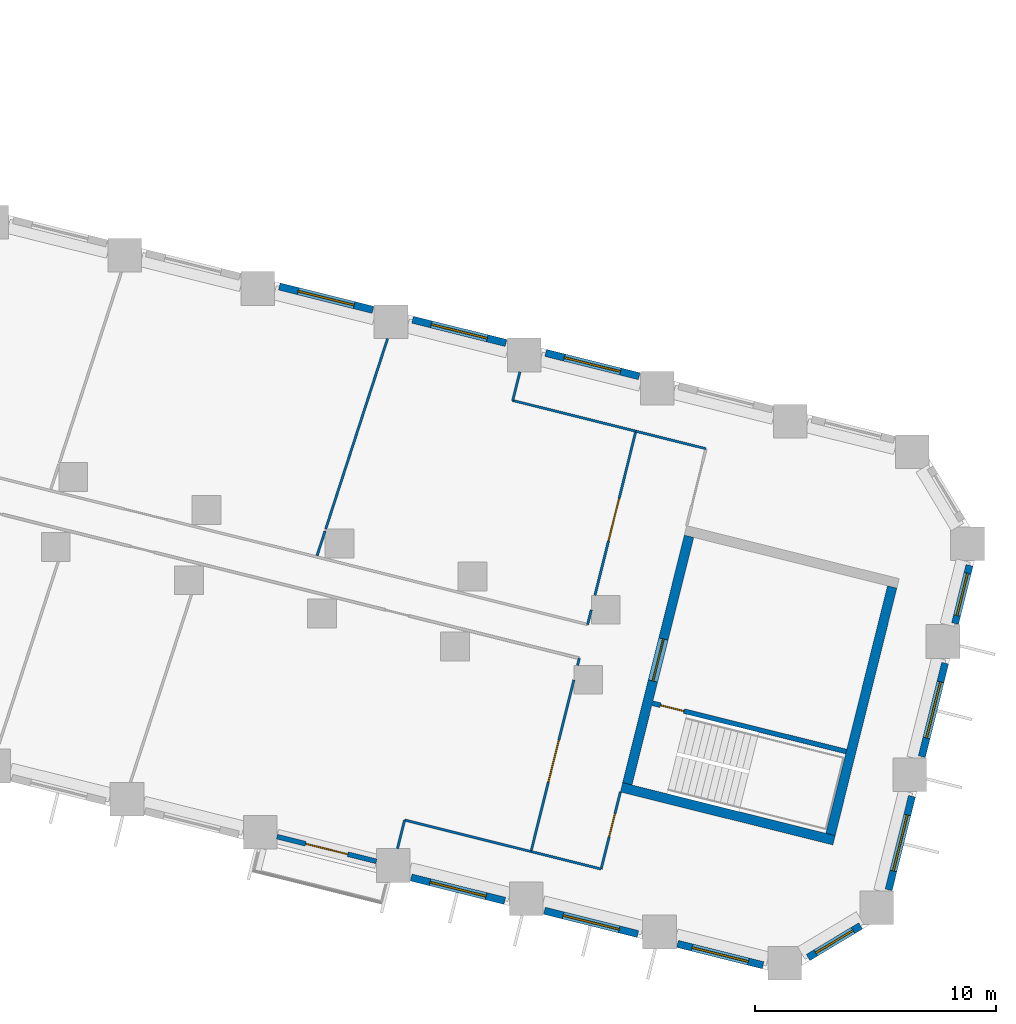
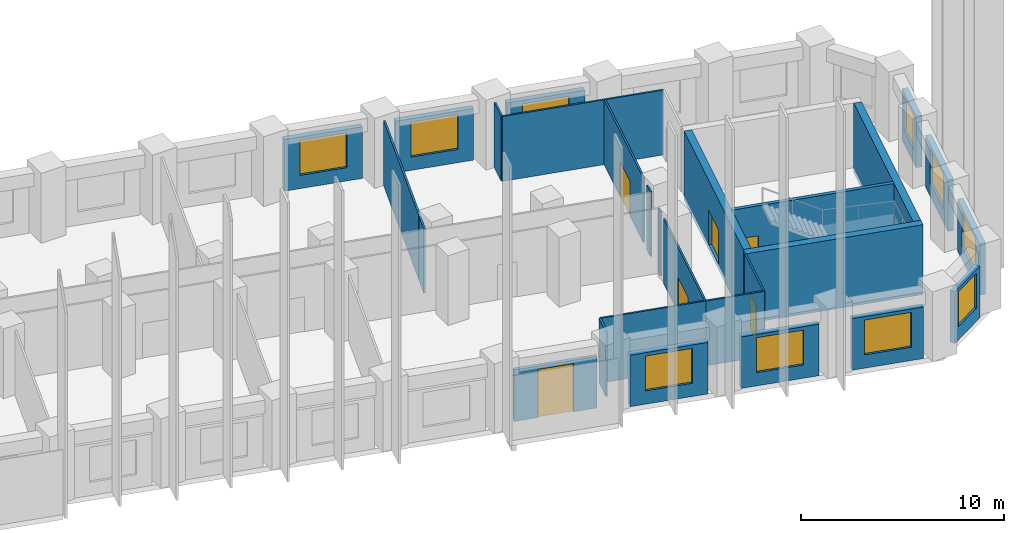
# One storey, part 7 of 12: 28 walls, 10 windows, 6 doors, 16 openings.
"""IFC4 building model written with IfcOpenShell, lengths in metres."""

from ifc_helpers import new_model, si_unit, direction, frame, frame_2d, origin, place, context, subcontext, project, spatial, rectangle, extrude, material, layer, layer_set, type_object, element, fill, save


model = new_model("IFC4")

# Units and contexts
model_context = context("Model", 3, precision=1e-05, world=origin(), true_north=direction((0.0, 1.0)))
body_context = subcontext(model_context, "Body", "Model", "MODEL_VIEW")
ifc_project = project(units=[si_unit("LENGTHUNIT", "METRE"), si_unit("AREAUNIT", "SQUARE_METRE"), si_unit("VOLUMEUNIT", "CUBIC_METRE"), si_unit("PLANEANGLEUNIT", "RADIAN"), si_unit("MASSUNIT", "GRAM", prefix="KILO")], contexts=[model_context])

# Site, building, storey
site_placement = place(None, origin())
site = spatial("IfcSite", under=ifc_project, at=site_placement, CompositionType="ELEMENT")
building_placement = place(site_placement, origin())
building = spatial("IfcBuilding", under=site, at=building_placement, Name="Meshkara Civic Tower", CompositionType="ELEMENT")
storey_placement = place(building_placement, frame((0.0, 0.0, 66.60009765625)))
storey = spatial("IfcBuildingStorey", under=building, at=storey_placement, Name="L14", CompositionType="ELEMENT", Elevation=66.60009765625)

# Wall
ifc_material_1 = material(Name="Corridor wall 100")
ifc_layer_1 = layer(ifc_material_1, 0.10009765625)
ifc_layer_set_1 = layer_set([ifc_layer_1], Name="Corridor wall 100")
wall_type_1 = type_object("IfcWallType", Name="Corridor wall 100", PredefinedType="PARTITIONING", material=ifc_layer_set_1)
wall_1_placement = place(storey_placement, frame((72.35302734375, -15.56591796875, 0.0), z_axis=(0.0, 0.0, 1.0), x_axis=(0.970271610033, -0.242018600037, 0.0)))
element("IfcWall", 1, at=wall_1_placement, inside=storey, type_object=wall_type_1, Name="L14-W024", PredefinedType="PARTITIONING", context=body_context, shape_type="SweptSolid", body=[
    extrude(rectangle(XDim=3.0, YDim=0.10009765625, at=frame_2d((1.5, 0.0))), origin(), (0.0, 0.0, 1.0), 3.89990234375),
])

# Wall, opening, door
wall_2_placement = place(storey_placement, frame((74.131103515625, -8.43701171875, 0.0), z_axis=(0.0, 0.0, 1.0), x_axis=(-0.242003930935, -0.970275268886, 0.0)))
wall_2 = element("IfcWall", 2, at=wall_2_placement, inside=storey, type_object=wall_type_1, Name="L14-W025", PredefinedType="PARTITIONING", context=body_context, shape_type="SweptSolid", body=[
    extrude(rectangle(XDim=7.347412109375, YDim=0.10009765625, at=frame_2d((3.673828125, 0.0))), origin(), (0.0, 0.0, 1.0), 3.89990234375),
])
opening_1_placement = place(wall_2_placement, frame((2.580078125, 0.0, 0.0)))
opening_1 = element("IfcOpeningElement", 3, at=opening_1_placement, cuts=wall_2, Name="Opening L14-D002", PredefinedType="OPENING", context=body_context, shape_type="SweptSolid", body=[
    extrude(rectangle(XDim=1.800048828125, YDim=2.10009765625, at=frame_2d((0.89990234375, 1.050048828125))), frame((0.0, 0.06005859375, 0.0), z_axis=(0.0, -1.0, 0.0), x_axis=(1.0, 0.0, 0.0)), (0.0, 0.0, 1.0), 0.1201171875),
])
ifc_material_2 = material(Name="Door pair 1800 x 2100")
door_type_1 = type_object("IfcDoorType", Name="Door pair 1800 x 2100", OperationType="SINGLE_SWING_LEFT", PredefinedType="DOOR", material=ifc_material_2)
door_1_placement = place(opening_1_placement, origin())
door_1 = element("IfcDoor", 4, at=door_1_placement, inside=storey, type_object=door_type_1, Name="L14-D002", OperationType="DOUBLE_DOOR_SINGLE_SWING", OverallHeight=2.10009765625, OverallWidth=1.800048828125, PredefinedType="DOOR", context=body_context, shape_type="SweptSolid", body=[
    extrude(rectangle(XDim=1.800048828125, YDim=2.10009765625, at=frame_2d((0.89990234375, 1.050048828125))), frame((0.0, 0.02490234375, 0.0), z_axis=(0.0, -1.0, 0.0), x_axis=(1.0, 0.0, 0.0)), (0.0, 0.0, 1.0), 0.050048828125),
])
fill(opening_1, door_1)

# Walls
wall_3_placement = place(storey_placement, frame((74.35595703125, -7.534912109375, 0.0), z_axis=(0.0, 0.0, 1.0), x_axis=(-0.24082959107, -0.970567415518, 0.0)))
element("IfcWall", 5, at=wall_3_placement, inside=storey, type_object=wall_type_1, Name="L14-W026", PredefinedType="PARTITIONING", context=body_context, shape_type="SweptSolid", body=[
    extrude(rectangle(XDim=0.30322265625, YDim=0.10009765625, at=frame_2d((0.151611328125, 0.0))), origin(), (0.0, 0.0, 1.0), 3.89990234375),
])
wall_4_placement = place(storey_placement, frame((74.85595703125, -5.527099609375, 0.0), z_axis=(0.0, 0.0, 1.0), x_axis=(-0.241982798004, -0.970280539571, 0.0)))
element("IfcWall", 6, at=wall_4_placement, inside=storey, type_object=wall_type_1, Name="L14-W027", PredefinedType="PARTITIONING", context=body_context, shape_type="SweptSolid", body=[
    extrude(rectangle(XDim=0.62353515625, YDim=0.10009765625, at=frame_2d((0.311767578125, 0.0))), origin(), (0.0, 0.0, 1.0), 3.89990234375),
])

# Wall, opening, door
wall_5_placement = place(storey_placement, frame((75.263916015625, -16.2919921875, 0.0), z_axis=(0.0, 0.0, 1.0), x_axis=(0.242135244173, 0.970242507587, 0.0)))
wall_5 = element("IfcWall", 7, at=wall_5_placement, inside=storey, type_object=wall_type_1, Name="L14-W028", PredefinedType="PARTITIONING", context=body_context, shape_type="SweptSolid", body=[
    extrude(rectangle(XDim=3.300048828125, YDim=0.10009765625, at=frame_2d((1.64990234375, 0.0))), origin(), (0.0, 0.0, 1.0), 3.89990234375),
])
opening_2_placement = place(wall_5_placement, frame((1.3798828125, 0.0, 0.0)))
opening_2 = element("IfcOpeningElement", 8, at=opening_2_placement, cuts=wall_5, Name="Opening L14-D001", PredefinedType="OPENING", context=body_context, shape_type="SweptSolid", body=[
    extrude(rectangle(XDim=1.0, YDim=2.10009765625, at=frame_2d((0.5, 1.050048828125))), frame((0.0, 0.06005859375, 0.0), z_axis=(0.0, -1.0, 0.0), x_axis=(1.0, 0.0, 0.0)), (0.0, 0.0, 1.0), 0.1201171875),
])
ifc_material_3 = material(Name="Door 1000 x 2100")
door_type_2 = type_object("IfcDoorType", Name="Door 1000 x 2100", OperationType="SINGLE_SWING_LEFT", PredefinedType="DOOR", material=ifc_material_3)
door_2_placement = place(opening_2_placement, origin())
door_2 = element("IfcDoor", 9, at=door_2_placement, inside=storey, type_object=door_type_2, Name="L14-D001", OperationType="SINGLE_SWING_LEFT", OverallHeight=2.10009765625, OverallWidth=1.0, PredefinedType="DOOR", context=body_context, shape_type="SweptSolid", body=[
    extrude(rectangle(XDim=1.0, YDim=2.10009765625, at=frame_2d((0.5, 1.050048828125))), frame((0.0, 0.02490234375, 0.0), z_axis=(0.0, -1.0, 0.0), x_axis=(1.0, 0.0, 0.0)), (0.0, 0.0, 1.0), 0.050048828125),
])
fill(opening_2, door_2)

wall_6_placement = place(storey_placement, frame((76.7080078125, 1.89892578125, 0.0), z_axis=(0.0, 0.0, 1.0), x_axis=(-0.241963232294, -0.970285418945, 0.0)))
wall_6 = element("IfcWall", 10, at=wall_6_placement, inside=storey, type_object=wall_type_1, Name="L14-W029", PredefinedType="PARTITIONING", context=body_context, shape_type="SweptSolid", body=[
    extrude(rectangle(XDim=7.025634765625, YDim=0.10009765625, at=frame_2d((3.5126953125, 0.0))), origin(), (0.0, 0.0, 1.0), 3.89990234375),
])
opening_3_placement = place(wall_6_placement, frame((2.8798828125, 0.0, 0.0)))
opening_3 = element("IfcOpeningElement", 11, at=opening_3_placement, cuts=wall_6, Name="Opening L14-D007", PredefinedType="OPENING", context=body_context, shape_type="SweptSolid", body=[
    extrude(rectangle(XDim=1.800048828125, YDim=2.10009765625, at=frame_2d((0.89990234375, 1.050048828125))), frame((0.0, 0.06005859375, 0.0), z_axis=(0.0, -1.0, 0.0), x_axis=(1.0, 0.0, 0.0)), (0.0, 0.0, 1.0), 0.1201171875),
])
door_3_placement = place(opening_3_placement, origin())
door_3 = element("IfcDoor", 12, at=door_3_placement, inside=storey, type_object=door_type_1, Name="L14-D007", OperationType="DOUBLE_DOOR_SINGLE_SWING", OverallHeight=2.10009765625, OverallWidth=1.800048828125, PredefinedType="DOOR", context=body_context, shape_type="SweptSolid", body=[
    extrude(rectangle(XDim=1.800048828125, YDim=2.10009765625, at=frame_2d((0.89990234375, 1.050048828125))), frame((0.0, 0.02490234375, 0.0), z_axis=(0.0, -1.0, 0.0), x_axis=(1.0, 0.0, 0.0)), (0.0, 0.0, 1.0), 0.050048828125),
])
fill(opening_3, door_3)

# Wall
wall_7_placement = place(storey_placement, frame((79.618896484375, 1.173095703125, 0.0), z_axis=(0.0, 0.0, 1.0), x_axis=(-0.970290716908, 0.241941986192, 0.0)))
element("IfcWall", 13, at=wall_7_placement, inside=storey, type_object=wall_type_1, Name="L14-W031", PredefinedType="PARTITIONING", context=body_context, shape_type="SweptSolid", body=[
    extrude(rectangle(XDim=3.0, YDim=0.10009765625, at=frame_2d((1.5, 0.0))), origin(), (0.0, 0.0, 1.0), 3.89990234375),
])

# Wall, opening, window
ifc_material_4 = material(Name="Insulated infill panel with bronze anodised aluminium cladding", Category="aluminium")
ifc_layer_2 = layer(ifc_material_4, 0.300048828125)
ifc_layer_set_2 = layer_set([ifc_layer_2], Name="EXTERNAL INFILL WALL 300")
wall_type_2 = type_object("IfcWallType", Name="EXTERNAL INFILL WALL 300", PredefinedType="SOLIDWALL", material=ifc_layer_set_2)
wall_8_placement = place(storey_placement, frame((76.843994140625, 4.18408203125, 0.0), z_axis=(0.0, 0.0, 1.0), x_axis=(-0.970303772127, 0.241889623168, 0.0)))
wall_8 = element("IfcWall", 14, at=wall_8_placement, inside=storey, type_object=wall_type_2, Name="External wall", PredefinedType="SOLIDWALL", context=body_context, shape_type="SweptSolid", body=[
    extrude(rectangle(XDim=4.001953125, YDim=0.300048828125, at=frame_2d((2.0009765625, 0.0))), origin(), (0.0, 0.0, 1.0), 3.099853515625),
])
opening_4_placement = place(wall_8_placement, frame((0.801025390625, 0.0, 0.800048828125)))
opening_4 = element("IfcOpeningElement", 15, at=opening_4_placement, cuts=wall_8, Name="Opening W7", PredefinedType="OPENING", context=body_context, shape_type="SweptSolid", body=[
    extrude(rectangle(XDim=2.39990234375, YDim=2.10009765625, at=frame_2d((1.199951171875, 1.050048828125))), frame((0.0, 0.159912109375, 0.0), z_axis=(0.0, -1.0, 0.0), x_axis=(1.0, 0.0, 0.0)), (0.0, 0.0, 1.0), 0.320068359375),
])
ifc_material_5 = material(Name="Tinted double glazing", Category="glass")
window_type_1 = type_object("IfcWindowType", Name="WINDOW 2400x2100", PartitioningType="DOUBLE_PANEL_VERTICAL", PredefinedType="WINDOW", material=ifc_material_5)
window_1_placement = place(opening_4_placement, origin())
window_1 = element("IfcWindow", 16, at=window_1_placement, inside=storey, type_object=window_type_1, Name="Window", OverallHeight=2.10009765625, OverallWidth=2.39990234375, PartitioningType="DOUBLE_PANEL_VERTICAL", PredefinedType="WINDOW", context=body_context, shape_type="SweptSolid", body=[
    extrude(rectangle(XDim=2.39990234375, YDim=2.10009765625, at=frame_2d((1.199951171875, 1.050048828125))), frame((0.0, 0.030029296875, 0.0), z_axis=(0.0, -1.0, 0.0), x_axis=(1.0, 0.0, 0.0)), (0.0, 0.0, 1.0), 0.06005859375),
])
fill(opening_4, window_1)

wall_9_placement = place(storey_placement, frame((71.31396484375, 5.56298828125, 0.0), z_axis=(0.0, 0.0, 1.0), x_axis=(-0.970318045095, 0.24183236211, 0.0)))
wall_9 = element("IfcWall", 17, at=wall_9_placement, inside=storey, type_object=wall_type_2, Name="External wall", PredefinedType="SOLIDWALL", context=body_context, shape_type="SweptSolid", body=[
    extrude(rectangle(XDim=4.0029296875, YDim=0.300048828125, at=frame_2d((2.00146484375, 0.0))), origin(), (0.0, 0.0, 1.0), 3.099853515625),
])
opening_5_placement = place(wall_9_placement, frame((0.802001953125, 0.0, 0.800048828125)))
opening_5 = element("IfcOpeningElement", 18, at=opening_5_placement, cuts=wall_9, Name="Opening W7", PredefinedType="OPENING", context=body_context, shape_type="SweptSolid", body=[
    extrude(rectangle(XDim=2.39990234375, YDim=2.10009765625, at=frame_2d((1.199951171875, 1.050048828125))), frame((0.0, 0.159912109375, 0.0), z_axis=(0.0, -1.0, 0.0), x_axis=(1.0, 0.0, 0.0)), (0.0, 0.0, 1.0), 0.320068359375),
])
window_2_placement = place(opening_5_placement, origin())
window_2 = element("IfcWindow", 19, at=window_2_placement, inside=storey, type_object=window_type_1, Name="Window", OverallHeight=2.10009765625, OverallWidth=2.39990234375, PartitioningType="DOUBLE_PANEL_VERTICAL", PredefinedType="WINDOW", context=body_context, shape_type="SweptSolid", body=[
    extrude(rectangle(XDim=2.39990234375, YDim=2.10009765625, at=frame_2d((1.199951171875, 1.050048828125))), frame((0.0, 0.030029296875, 0.0), z_axis=(0.0, -1.0, 0.0), x_axis=(1.0, 0.0, 0.0)), (0.0, 0.0, 1.0), 0.06005859375),
])
fill(opening_5, window_2)

wall_10_placement = place(storey_placement, frame((65.782958984375, 6.94189453125, 0.0), z_axis=(0.0, 0.0, 1.0), x_axis=(-0.970318045095, 0.24183236211, 0.0)))
wall_10 = element("IfcWall", 20, at=wall_10_placement, inside=storey, type_object=wall_type_2, Name="External wall", PredefinedType="SOLIDWALL", context=body_context, shape_type="SweptSolid", body=[
    extrude(rectangle(XDim=4.0029296875, YDim=0.300048828125, at=frame_2d((2.00146484375, 0.0))), origin(), (0.0, 0.0, 1.0), 3.099853515625),
])
opening_6_placement = place(wall_10_placement, frame((0.802001953125, 0.0, 0.800048828125)))
opening_6 = element("IfcOpeningElement", 21, at=opening_6_placement, cuts=wall_10, Name="Opening W7", PredefinedType="OPENING", context=body_context, shape_type="SweptSolid", body=[
    extrude(rectangle(XDim=2.39990234375, YDim=2.10009765625, at=frame_2d((1.199951171875, 1.050048828125))), frame((0.0, 0.159912109375, 0.0), z_axis=(0.0, -1.0, 0.0), x_axis=(1.0, 0.0, 0.0)), (0.0, 0.0, 1.0), 0.320068359375),
])
window_3_placement = place(opening_6_placement, origin())
window_3 = element("IfcWindow", 22, at=window_3_placement, inside=storey, type_object=window_type_1, Name="Window", OverallHeight=2.10009765625, OverallWidth=2.39990234375, PartitioningType="DOUBLE_PANEL_VERTICAL", PredefinedType="WINDOW", context=body_context, shape_type="SweptSolid", body=[
    extrude(rectangle(XDim=2.39990234375, YDim=2.10009765625, at=frame_2d((1.199951171875, 1.050048828125))), frame((0.0, 0.030029296875, 0.0), z_axis=(0.0, -1.0, 0.0), x_axis=(1.0, 0.0, 0.0)), (0.0, 0.0, 1.0), 0.06005859375),
])
fill(opening_6, window_3)

wall_11_placement = place(storey_placement, frame((67.3779296875, -16.64404296875, 0.0), z_axis=(0.0, 0.0, 1.0), x_axis=(0.970260773365, -0.242062040951, 0.0)))
wall_11 = element("IfcWall", 23, at=wall_11_placement, inside=storey, type_object=wall_type_2, Name="External wall", PredefinedType="SOLIDWALL", context=body_context, shape_type="SweptSolid", body=[
    extrude(rectangle(XDim=4.003173828125, YDim=0.300048828125, at=frame_2d((2.00146484375, 0.0))), origin(), (0.0, 0.0, 1.0), 3.099853515625),
])
opening_7_placement = place(wall_11_placement, frame((0.802001953125, 0.0, 0.800048828125)))
opening_7 = element("IfcOpeningElement", 24, at=opening_7_placement, cuts=wall_11, Name="Opening W7", PredefinedType="OPENING", context=body_context, shape_type="SweptSolid", body=[
    extrude(rectangle(XDim=2.39990234375, YDim=2.10009765625, at=frame_2d((1.199951171875, 1.050048828125))), frame((0.0, 0.159912109375, 0.0), z_axis=(0.0, -1.0, 0.0), x_axis=(1.0, 0.0, 0.0)), (0.0, 0.0, 1.0), 0.320068359375),
])
window_4_placement = place(opening_7_placement, origin())
window_4 = element("IfcWindow", 25, at=window_4_placement, inside=storey, type_object=window_type_1, Name="Window", OverallHeight=2.10009765625, OverallWidth=2.39990234375, PartitioningType="DOUBLE_PANEL_VERTICAL", PredefinedType="WINDOW", context=body_context, shape_type="SweptSolid", body=[
    extrude(rectangle(XDim=2.39990234375, YDim=2.10009765625, at=frame_2d((1.199951171875, 1.050048828125))), frame((0.0, 0.030029296875, 0.0), z_axis=(0.0, -1.0, 0.0), x_axis=(1.0, 0.0, 0.0)), (0.0, 0.0, 1.0), 0.06005859375),
])
fill(opening_7, window_4)

wall_12_placement = place(storey_placement, frame((72.908935546875, -18.02294921875, 0.0), z_axis=(0.0, 0.0, 1.0), x_axis=(0.970260773365, -0.242062040951, 0.0)))
wall_12 = element("IfcWall", 26, at=wall_12_placement, inside=storey, type_object=wall_type_2, Name="External wall", PredefinedType="SOLIDWALL", context=body_context, shape_type="SweptSolid", body=[
    extrude(rectangle(XDim=4.003173828125, YDim=0.300048828125, at=frame_2d((2.00146484375, 0.0))), origin(), (0.0, 0.0, 1.0), 3.099853515625),
])
opening_8_placement = place(wall_12_placement, frame((0.802001953125, 0.0, 0.800048828125)))
opening_8 = element("IfcOpeningElement", 27, at=opening_8_placement, cuts=wall_12, Name="Opening W7", PredefinedType="OPENING", context=body_context, shape_type="SweptSolid", body=[
    extrude(rectangle(XDim=2.39990234375, YDim=2.10009765625, at=frame_2d((1.199951171875, 1.050048828125))), frame((0.0, 0.159912109375, 0.0), z_axis=(0.0, -1.0, 0.0), x_axis=(1.0, 0.0, 0.0)), (0.0, 0.0, 1.0), 0.320068359375),
])
window_5_placement = place(opening_8_placement, origin())
window_5 = element("IfcWindow", 28, at=window_5_placement, inside=storey, type_object=window_type_1, Name="Window", OverallHeight=2.10009765625, OverallWidth=2.39990234375, PartitioningType="DOUBLE_PANEL_VERTICAL", PredefinedType="WINDOW", context=body_context, shape_type="SweptSolid", body=[
    extrude(rectangle(XDim=2.39990234375, YDim=2.10009765625, at=frame_2d((1.199951171875, 1.050048828125))), frame((0.0, 0.030029296875, 0.0), z_axis=(0.0, -1.0, 0.0), x_axis=(1.0, 0.0, 0.0)), (0.0, 0.0, 1.0), 0.06005859375),
])
fill(opening_8, window_5)

wall_13_placement = place(storey_placement, frame((78.43994140625, -19.402099609375, 0.0), z_axis=(0.0, 0.0, 1.0), x_axis=(0.970271818873, -0.24201776278, 0.0)))
wall_13 = element("IfcWall", 29, at=wall_13_placement, inside=storey, type_object=wall_type_2, Name="External wall", PredefinedType="SOLIDWALL", context=body_context, shape_type="SweptSolid", body=[
    extrude(rectangle(XDim=3.660888671875, YDim=0.300048828125, at=frame_2d((1.83056640625, 0.0))), origin(), (0.0, 0.0, 1.0), 3.099853515625),
])
opening_9_placement = place(wall_13_placement, frame((0.6298828125, 0.0, 0.800048828125)))
opening_9 = element("IfcOpeningElement", 30, at=opening_9_placement, cuts=wall_13, Name="Opening W7", PredefinedType="OPENING", context=body_context, shape_type="SweptSolid", body=[
    extrude(rectangle(XDim=2.39990234375, YDim=2.10009765625, at=frame_2d((1.199951171875, 1.050048828125))), frame((0.0, 0.159912109375, 0.0), z_axis=(0.0, -1.0, 0.0), x_axis=(1.0, 0.0, 0.0)), (0.0, 0.0, 1.0), 0.320068359375),
])
window_6_placement = place(opening_9_placement, origin())
window_6 = element("IfcWindow", 31, at=window_6_placement, inside=storey, type_object=window_type_1, Name="Window", OverallHeight=2.10009765625, OverallWidth=2.39990234375, PartitioningType="DOUBLE_PANEL_VERTICAL", PredefinedType="WINDOW", context=body_context, shape_type="SweptSolid", body=[
    extrude(rectangle(XDim=2.39990234375, YDim=2.10009765625, at=frame_2d((1.199951171875, 1.050048828125))), frame((0.0, 0.030029296875, 0.0), z_axis=(0.0, -1.0, 0.0), x_axis=(1.0, 0.0, 0.0)), (0.0, 0.0, 1.0), 0.06005859375),
])
fill(opening_9, window_6)

wall_14_placement = place(storey_placement, frame((83.865966796875, -19.965087890625, 0.0), z_axis=(0.0, 0.0, 1.0), x_axis=(0.857026568426, 0.515272220299, 0.0)))
wall_14 = element("IfcWall", 32, at=wall_14_placement, inside=storey, type_object=wall_type_2, Name="External wall", PredefinedType="SOLIDWALL", context=body_context, shape_type="SweptSolid", body=[
    extrude(rectangle(XDim=2.54248046875, YDim=0.300048828125, at=frame_2d((1.271240234375, 0.0))), origin(), (0.0, 0.0, 1.0), 3.099853515625),
])
opening_10_placement = place(wall_14_placement, frame((0.37109375, 0.0, 0.800048828125)))
opening_10 = element("IfcOpeningElement", 33, at=opening_10_placement, cuts=wall_14, Name="Opening W9", PredefinedType="OPENING", context=body_context, shape_type="SweptSolid", body=[
    extrude(rectangle(XDim=1.800048828125, YDim=2.10009765625, at=frame_2d((0.89990234375, 1.050048828125))), frame((0.0, 0.159912109375, 0.0), z_axis=(0.0, -1.0, 0.0), x_axis=(1.0, 0.0, 0.0)), (0.0, 0.0, 1.0), 0.320068359375),
])
ifc_material_6 = material(Name="Tinted double glazing", Category="glass")
window_type_2 = type_object("IfcWindowType", Name="WINDOW 1800x2100", PartitioningType="DOUBLE_PANEL_VERTICAL", PredefinedType="WINDOW", material=ifc_material_6)
window_7_placement = place(opening_10_placement, origin())
window_7 = element("IfcWindow", 34, at=window_7_placement, inside=storey, type_object=window_type_2, Name="Window", OverallHeight=2.10009765625, OverallWidth=1.800048828125, PartitioningType="DOUBLE_PANEL_VERTICAL", PredefinedType="WINDOW", context=body_context, shape_type="SweptSolid", body=[
    extrude(rectangle(XDim=1.800048828125, YDim=2.10009765625, at=frame_2d((0.89990234375, 1.050048828125))), frame((0.0, 0.030029296875, 0.0), z_axis=(0.0, -1.0, 0.0), x_axis=(1.0, 0.0, 0.0)), (0.0, 0.0, 1.0), 0.06005859375),
])
fill(opening_10, window_7)

wall_15_placement = place(storey_placement, frame((87.2109375, -17.152099609375, 0.0), z_axis=(0.0, 0.0, 1.0), x_axis=(0.24183236211, 0.970318045095, 0.0)))
wall_15 = element("IfcWall", 35, at=wall_15_placement, inside=storey, type_object=wall_type_2, Name="External wall", PredefinedType="SOLIDWALL", context=body_context, shape_type="SweptSolid", body=[
    extrude(rectangle(XDim=4.0029296875, YDim=0.300048828125, at=frame_2d((2.00146484375, 0.0))), origin(), (0.0, 0.0, 1.0), 3.099853515625),
])
opening_11_placement = place(wall_15_placement, frame((0.802001953125, 0.0, 0.800048828125)))
opening_11 = element("IfcOpeningElement", 36, at=opening_11_placement, cuts=wall_15, Name="Opening W7", PredefinedType="OPENING", context=body_context, shape_type="SweptSolid", body=[
    extrude(rectangle(XDim=2.39990234375, YDim=2.10009765625, at=frame_2d((1.199951171875, 1.050048828125))), frame((0.0, 0.159912109375, 0.0), z_axis=(0.0, -1.0, 0.0), x_axis=(1.0, 0.0, 0.0)), (0.0, 0.0, 1.0), 0.320068359375),
])
window_8_placement = place(opening_11_placement, origin())
window_8 = element("IfcWindow", 37, at=window_8_placement, inside=storey, type_object=window_type_1, Name="Window", OverallHeight=2.10009765625, OverallWidth=2.39990234375, PartitioningType="DOUBLE_PANEL_VERTICAL", PredefinedType="WINDOW", context=body_context, shape_type="SweptSolid", body=[
    extrude(rectangle(XDim=2.39990234375, YDim=2.10009765625, at=frame_2d((1.199951171875, 1.050048828125))), frame((0.0, 0.030029296875, 0.0), z_axis=(0.0, -1.0, 0.0), x_axis=(1.0, 0.0, 0.0)), (0.0, 0.0, 1.0), 0.06005859375),
])
fill(opening_11, window_8)

wall_16_placement = place(storey_placement, frame((88.590087890625, -11.62109375, 0.0), z_axis=(0.0, 0.0, 1.0), x_axis=(0.241889623168, 0.970303772127, 0.0)))
wall_16 = element("IfcWall", 38, at=wall_16_placement, inside=storey, type_object=wall_type_2, Name="External wall", PredefinedType="SOLIDWALL", context=body_context, shape_type="SweptSolid", body=[
    extrude(rectangle(XDim=4.001953125, YDim=0.300048828125, at=frame_2d((2.0009765625, 0.0))), origin(), (0.0, 0.0, 1.0), 3.099853515625),
])
opening_12_placement = place(wall_16_placement, frame((0.801025390625, 0.0, 0.800048828125)))
opening_12 = element("IfcOpeningElement", 39, at=opening_12_placement, cuts=wall_16, Name="Opening W7", PredefinedType="OPENING", context=body_context, shape_type="SweptSolid", body=[
    extrude(rectangle(XDim=2.39990234375, YDim=2.10009765625, at=frame_2d((1.199951171875, 1.050048828125))), frame((0.0, 0.159912109375, 0.0), z_axis=(0.0, -1.0, 0.0), x_axis=(1.0, 0.0, 0.0)), (0.0, 0.0, 1.0), 0.320068359375),
])
window_9_placement = place(opening_12_placement, origin())
window_9 = element("IfcWindow", 40, at=window_9_placement, inside=storey, type_object=window_type_1, Name="Window", OverallHeight=2.10009765625, OverallWidth=2.39990234375, PartitioningType="DOUBLE_PANEL_VERTICAL", PredefinedType="WINDOW", context=body_context, shape_type="SweptSolid", body=[
    extrude(rectangle(XDim=2.39990234375, YDim=2.10009765625, at=frame_2d((1.199951171875, 1.050048828125))), frame((0.0, 0.030029296875, 0.0), z_axis=(0.0, -1.0, 0.0), x_axis=(1.0, 0.0, 0.0)), (0.0, 0.0, 1.0), 0.06005859375),
])
fill(opening_12, window_9)

wall_17_placement = place(storey_placement, frame((89.968994140625, -6.091064453125, 0.0), z_axis=(0.0, 0.0, 1.0), x_axis=(0.241797277733, 0.9703267885, 0.0)))
wall_17 = element("IfcWall", 41, at=wall_17_placement, inside=storey, type_object=wall_type_2, Name="External wall", PredefinedType="SOLIDWALL", context=body_context, shape_type="SweptSolid", body=[
    extrude(rectangle(XDim=2.489990234375, YDim=0.300048828125, at=frame_2d((1.2451171875, 0.0))), origin(), (0.0, 0.0, 1.0), 3.099853515625),
])
opening_13_placement = place(wall_17_placement, frame((0.344970703125, 0.0, 0.800048828125)))
opening_13 = element("IfcOpeningElement", 42, at=opening_13_placement, cuts=wall_17, Name="Opening W9", PredefinedType="OPENING", context=body_context, shape_type="SweptSolid", body=[
    extrude(rectangle(XDim=1.800048828125, YDim=2.10009765625, at=frame_2d((0.89990234375, 1.050048828125))), frame((0.0, 0.159912109375, 0.0), z_axis=(0.0, -1.0, 0.0), x_axis=(1.0, 0.0, 0.0)), (0.0, 0.0, 1.0), 0.320068359375),
])
window_10_placement = place(opening_13_placement, origin())
window_10 = element("IfcWindow", 43, at=window_10_placement, inside=storey, type_object=window_type_2, Name="Window", OverallHeight=2.10009765625, OverallWidth=1.800048828125, PartitioningType="DOUBLE_PANEL_VERTICAL", PredefinedType="WINDOW", context=body_context, shape_type="SweptSolid", body=[
    extrude(rectangle(XDim=1.800048828125, YDim=2.10009765625, at=frame_2d((0.89990234375, 1.050048828125))), frame((0.0, 0.030029296875, 0.0), z_axis=(0.0, -1.0, 0.0), x_axis=(1.0, 0.0, 0.0)), (0.0, 0.0, 1.0), 0.06005859375),
])
fill(opening_13, window_10)

# Wall
ifc_material_7 = material(Name="Concrete C80", Category="concrete")
ifc_layer_3 = layer(ifc_material_7, 0.39990234375)
ifc_layer_set_3 = layer_set([ifc_layer_3], Name="End core ring wall 400 C80")
wall_type_3 = type_object("IfcWallType", Name="End core ring wall 400 C80", PredefinedType="SHEAR", material=ifc_layer_set_3)
wall_18_placement = place(storey_placement, frame((76.111083984375, -12.89599609375, -0.300048828125), z_axis=(0.0, 0.0, 1.0), x_axis=(0.970311127573, -0.241860115992, 0.0)))
element("IfcWall", 44, at=wall_18_placement, inside=storey, type_object=wall_type_3, Name="L14-C031", PredefinedType="SHEAR", context=body_context, shape_type="SweptSolid", body=[
    extrude(rectangle(XDim=9.10009765625, YDim=0.39990234375, at=frame_2d((4.550048828125, 0.0))), origin(), (0.0, 0.0, 1.0), 4.199951171875),
])

# Wall, opening, door
wall_19_placement = place(storey_placement, frame((76.35302734375, -12.75, -0.300048828125), z_axis=(0.0, 0.0, 1.0), x_axis=(0.241977390218, 0.970281888228, 0.0)))
wall_19 = element("IfcWall", 45, at=wall_19_placement, inside=storey, type_object=wall_type_3, Name="L14-C033", PredefinedType="SHEAR", context=body_context, shape_type="SweptSolid", body=[
    extrude(rectangle(XDim=10.599853515625, YDim=0.39990234375, at=frame_2d((5.2998046875, 0.0))), origin(), (0.0, 0.0, 1.0), 4.199951171875),
])
opening_14_placement = place(wall_19_placement, frame((4.39990234375, 0.0, 0.300048828125)))
opening_14 = element("IfcOpeningElement", 46, at=opening_14_placement, cuts=wall_19, Name="Opening L14-K202", PredefinedType="OPENING", context=body_context, shape_type="SweptSolid", body=[
    extrude(rectangle(XDim=1.800048828125, YDim=2.10009765625, at=frame_2d((0.89990234375, 1.050048828125))), frame((0.0, 0.2099609375, 0.0), z_axis=(0.0, -1.0, 0.0), x_axis=(1.0, 0.0, 0.0)), (0.0, 0.0, 1.0), 0.419921875),
])
ifc_material_8 = material(Name="Fire-rated door leaf in steel frame", Category="steel")
door_type_3 = type_object("IfcDoorType", Name="Core double door 1800 EI 60", OperationType="DOUBLE_DOOR_SINGLE_SWING", PredefinedType="DOOR", material=ifc_material_8)
door_4_placement = place(opening_14_placement, origin())
door_4 = element("IfcDoor", 47, at=door_4_placement, inside=storey, type_object=door_type_3, Name="L14-K202", OperationType="DOUBLE_DOOR_SINGLE_SWING", OverallHeight=2.10009765625, OverallWidth=1.800048828125, PredefinedType="DOOR", context=body_context, shape_type="SweptSolid", body=[
    extrude(rectangle(XDim=1.800048828125, YDim=2.10009765625, at=frame_2d((0.89990234375, 1.050048828125))), frame((0.0, 0.02490234375, 0.0), z_axis=(0.0, -1.0, 0.0), x_axis=(1.0, 0.0, 0.0)), (0.0, 0.0, 1.0), 0.050048828125),
])
fill(opening_14, door_4)

# Wall
wall_20_placement = place(storey_placement, frame((84.794921875, -14.85498046875, -0.300048828125), z_axis=(0.0, 0.0, 1.0), x_axis=(0.241890652548, 0.970303515509, 0.0)))
element("IfcWall", 48, at=wall_20_placement, inside=storey, type_object=wall_type_3, Name="L14-C034", PredefinedType="SHEAR", context=body_context, shape_type="SweptSolid", body=[
    extrude(rectangle(XDim=10.599609375, YDim=0.39990234375, at=frame_2d((5.2998046875, 0.0))), origin(), (0.0, 0.0, 1.0), 4.199951171875),
])

# Wall, opening, door
ifc_material_9 = material(Name="Insulated infill panel with bronze anodised aluminium cladding", Category="aluminium")
ifc_layer_4 = layer(ifc_material_9, 0.199951171875)
ifc_layer_set_4 = layer_set([ifc_layer_4], Name="LOGGIA BACK WALL 200")
wall_type_4 = type_object("IfcWallType", Name="LOGGIA BACK WALL 200", PredefinedType="SOLIDWALL", material=ifc_layer_set_4)
wall_21_placement = place(storey_placement, frame((61.797119140625, -14.944091796875, 0.0), z_axis=(0.0, 0.0, 1.0), x_axis=(0.970344618147, -0.241725716533, 0.0)))
wall_21 = element("IfcWall", 49, at=wall_21_placement, inside=storey, type_object=wall_type_4, Name="Loggia wall", PredefinedType="SOLIDWALL", context=body_context, shape_type="SweptSolid", body=[
    extrude(rectangle(XDim=4.256103515625, YDim=0.199951171875, at=frame_2d((2.1279296875, 0.0))), origin(), (0.0, 0.0, 1.0), 3.099853515625),
])
opening_15_placement = place(wall_21_placement, frame((1.22802734375, 0.0, 0.0)))
opening_15 = element("IfcOpeningElement", 50, at=opening_15_placement, cuts=wall_21, Name="Opening L14-L005", PredefinedType="OPENING", context=body_context, shape_type="SweptSolid", body=[
    extrude(rectangle(XDim=1.800048828125, YDim=2.89990234375, at=frame_2d((0.89990234375, 1.449951171875))), frame((0.0, 0.10986328125, 0.0), z_axis=(0.0, -1.0, 0.0), x_axis=(1.0, 0.0, 0.0)), (0.0, 0.0, 1.0), 0.219970703125),
])
ifc_material_10 = material(Name="Tinted double glazing", Category="glass")
door_type_4 = type_object("IfcDoorType", Name="LOGGIA DOOR 1800x2900", OperationType="DOUBLE_DOOR_SINGLE_SWING", PredefinedType="DOOR", material=ifc_material_10)
door_5_placement = place(opening_15_placement, origin())
door_5 = element("IfcDoor", 51, at=door_5_placement, inside=storey, type_object=door_type_4, Name="L14-L005", OperationType="DOUBLE_DOOR_SINGLE_SWING", OverallHeight=2.89990234375, OverallWidth=1.800048828125, PredefinedType="DOOR", context=body_context, shape_type="SweptSolid", body=[
    extrude(rectangle(XDim=1.800048828125, YDim=2.89990234375, at=frame_2d((0.89990234375, 1.449951171875))), frame((0.0, 0.02490234375, 0.0), z_axis=(0.0, -1.0, 0.0), x_axis=(1.0, 0.0, 0.0)), (0.0, 0.0, 1.0), 0.050048828125),
])
fill(opening_15, door_5)

# Walls
ifc_material_11 = material(Name="Partition 100")
ifc_layer_5 = layer(ifc_material_11, 0.10009765625)
ifc_layer_set_5 = layer_set([ifc_layer_5], Name="Partition 100")
wall_type_5 = type_object("IfcWallType", Name="Partition 100", PredefinedType="PARTITIONING", material=ifc_layer_set_5)
wall_22_placement = place(storey_placement, frame((63.4619140625, -3.27392578125, 0.0), z_axis=(0.0, 0.0, 1.0), x_axis=(0.308748247722, 0.9511437954, 0.0)))
element("IfcWall", 52, at=wall_22_placement, inside=storey, type_object=wall_type_5, Name="L14-W054", PredefinedType="PARTITIONING", context=body_context, shape_type="SweptSolid", body=[
    extrude(rectangle(XDim=1.07861328125, YDim=0.10009765625, at=frame_2d((0.539306640625, 0.0))), origin(), (0.0, 0.0, 1.0), 3.89990234375),
])
wall_23_placement = place(storey_placement, frame((63.822998046875, -2.160888671875, 0.0), z_axis=(0.0, 0.0, 1.0), x_axis=(0.308940631074, 0.951081324846, 0.0)))
element("IfcWall", 53, at=wall_23_placement, inside=storey, type_object=wall_type_5, Name="L14-W055", PredefinedType="PARTITIONING", context=body_context, shape_type="SweptSolid", body=[
    extrude(rectangle(XDim=8.312744140625, YDim=0.10009765625, at=frame_2d((4.15625, 0.0))), origin(), (0.0, 0.0, 1.0), 3.89990234375),
])
wall_24_placement = place(storey_placement, frame((66.802001953125, -15.447998046875, 0.0), z_axis=(0.0, 0.0, 1.0), x_axis=(0.241880858218, 0.970305957123, 0.0)))
element("IfcWall", 54, at=wall_24_placement, inside=storey, type_object=wall_type_5, Name="L14-W056", PredefinedType="PARTITIONING", context=body_context, shape_type="SweptSolid", body=[
    extrude(rectangle(XDim=1.228271484375, YDim=0.10009765625, at=frame_2d((0.6142578125, 0.0))), origin(), (0.0, 0.0, 1.0), 3.89990234375),
])
wall_25_placement = place(storey_placement, frame((67.09912109375, -14.256103515625, 0.0), z_axis=(0.0, 0.0, 1.0), x_axis=(0.970301308755, -0.241899504398, 0.0)))
element("IfcWall", 55, at=wall_25_placement, inside=storey, type_object=wall_type_5, Name="L14-W057", PredefinedType="PARTITIONING", context=body_context, shape_type="SweptSolid", body=[
    extrude(rectangle(XDim=5.418701171875, YDim=0.10009765625, at=frame_2d((2.70947265625, 0.0))), origin(), (0.0, 0.0, 1.0), 3.89990234375),
])
wall_26_placement = place(storey_placement, frame((71.593017578125, 3.174072265625, 0.0), z_axis=(0.0, 0.0, 1.0), x_axis=(0.241693721233, 0.97035258804, 0.0)))
element("IfcWall", 56, at=wall_26_placement, inside=storey, type_object=wall_type_5, Name="L14-W058", PredefinedType="PARTITIONING", context=body_context, shape_type="SweptSolid", body=[
    extrude(rectangle(XDim=1.228271484375, YDim=0.10009765625, at=frame_2d((0.6142578125, 0.0))), origin(), (0.0, 0.0, 1.0), 3.89990234375),
])
wall_27_placement = place(storey_placement, frame((76.7119140625, 1.89794921875, 0.0), z_axis=(0.0, 0.0, 1.0), x_axis=(-0.970302897998, 0.241893129577, 0.0)))
element("IfcWall", 57, at=wall_27_placement, inside=storey, type_object=wall_type_5, Name="L14-W059", PredefinedType="PARTITIONING", context=body_context, shape_type="SweptSolid", body=[
    extrude(rectangle(XDim=5.275634765625, YDim=0.10009765625, at=frame_2d((2.6376953125, 0.0))), origin(), (0.0, 0.0, 1.0), 3.89990234375),
])

# Wall, opening, door
ifc_material_12 = material(Name="Concrete C40/50", Category="concrete")
ifc_layer_6 = layer(ifc_material_12, 0.199951171875)
ifc_layer_set_6 = layer_set([ifc_layer_6], Name="Stair enclosure wall 200 C40/50")
wall_type_6 = type_object("IfcWallType", Name="Stair enclosure wall 200 C40/50", PredefinedType="SOLIDWALL", material=ifc_layer_set_6)
wall_28_placement = place(storey_placement, frame((77.39404296875, -9.403076171875, 0.0), z_axis=(0.0, 0.0, 1.0), x_axis=(0.970303192681, -0.241891947516, 0.0)))
wall_28 = element("IfcWall", 58, at=wall_28_placement, inside=storey, type_object=wall_type_6, Name="L14-C035", PredefinedType="SOLIDWALL", context=body_context, shape_type="SweptSolid", body=[
    extrude(rectangle(XDim=8.300537109375, YDim=0.199951171875, at=frame_2d((4.150390625, 0.0))), origin(), (0.0, 0.0, 1.0), 3.89990234375),
])
opening_16_placement = place(wall_28_placement, frame((0.35009765625, 0.0, 0.0)))
opening_16 = element("IfcOpeningElement", 59, at=opening_16_placement, cuts=wall_28, Name="Opening L14-K201", PredefinedType="OPENING", context=body_context, shape_type="SweptSolid", body=[
    extrude(rectangle(XDim=1.0, YDim=2.10009765625, at=frame_2d((0.5, 1.050048828125))), frame((0.0, 0.10986328125, 0.0), z_axis=(0.0, -1.0, 0.0), x_axis=(1.0, 0.0, 0.0)), (0.0, 0.0, 1.0), 0.219970703125),
])
ifc_material_13 = material(Name="Fire-rated door leaf in steel frame", Category="steel")
door_type_5 = type_object("IfcDoorType", Name="Stair door 1000 EI 120", OperationType="SINGLE_SWING_LEFT", PredefinedType="DOOR", material=ifc_material_13)
door_6_placement = place(opening_16_placement, origin())
door_6 = element("IfcDoor", 60, at=door_6_placement, inside=storey, type_object=door_type_5, Name="L14-K201", OperationType="SINGLE_SWING_LEFT", OverallHeight=2.10009765625, OverallWidth=1.0, PredefinedType="DOOR", context=body_context, shape_type="SweptSolid", body=[
    extrude(rectangle(XDim=1.0, YDim=2.10009765625, at=frame_2d((0.5, 1.050048828125))), frame((0.0, 0.02490234375, 0.0), z_axis=(0.0, -1.0, 0.0), x_axis=(1.0, 0.0, 0.0)), (0.0, 0.0, 1.0), 0.050048828125),
])
fill(opening_16, door_6)

save(model, "model.ifc")
